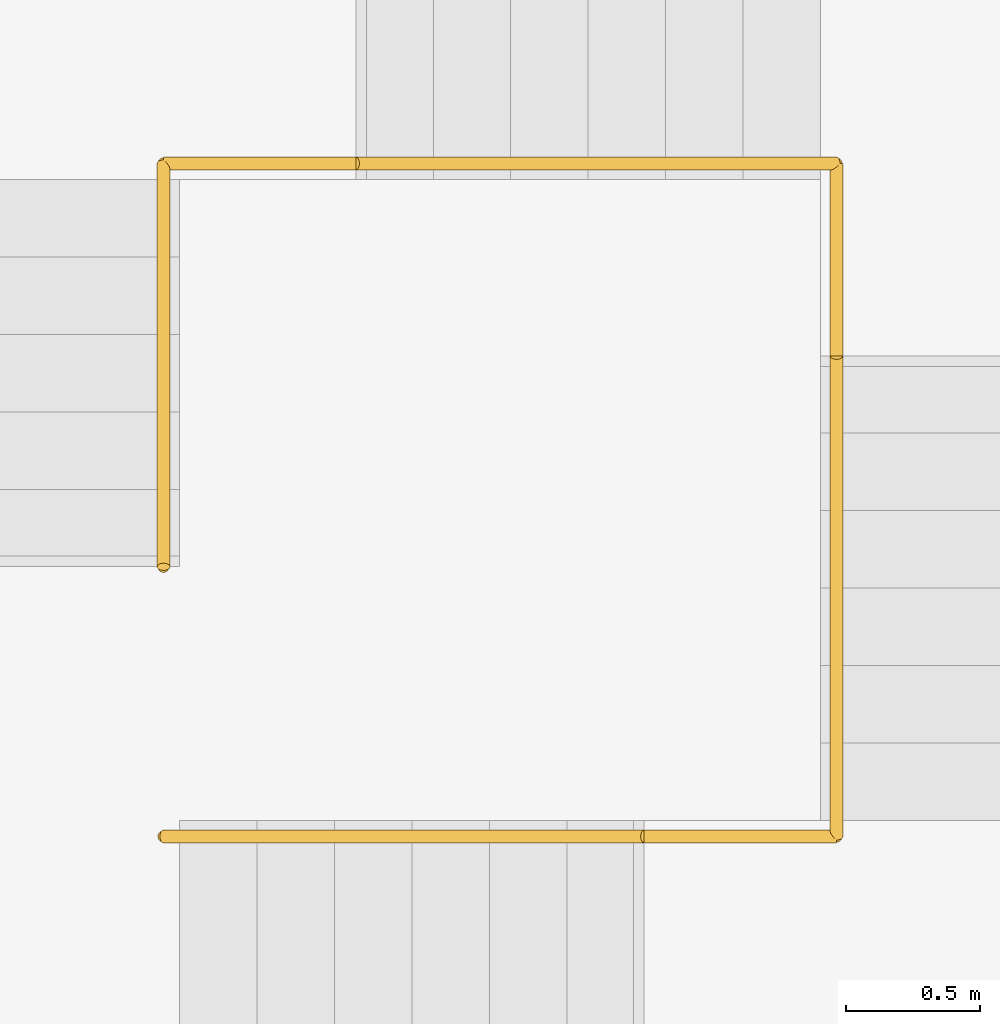
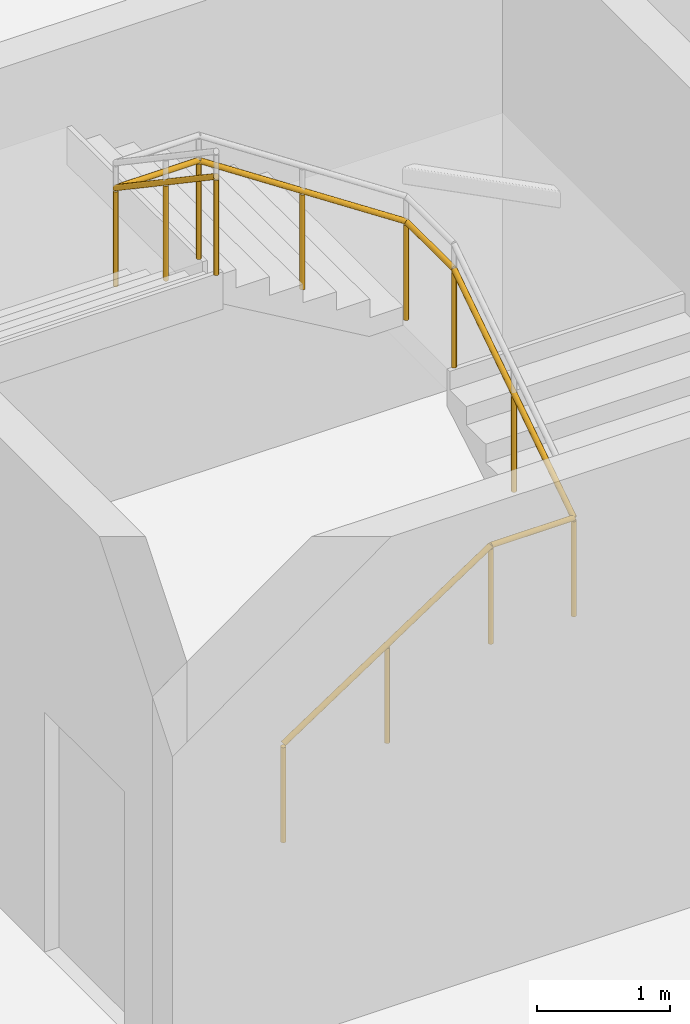
# One storey, part 30 of 30: 1 railing.
"""IFC4 building model written with IfcOpenShell, lengths in metres."""

from ifc_helpers import new_model, si_unit, direction, frame, origin, origin_2d, place, context, subcontext, project, spatial, circle, extrude, material, type_object, element, save


model = new_model("IFC4")

# Units and contexts
model_context = context("Model", 3, precision=1e-05, world=origin(), true_north=direction((0.0, 1.0)))
body_context = subcontext(model_context, "Body", "Model", "MODEL_VIEW")
ifc_project = project(units=[si_unit("LENGTHUNIT", "METRE"), si_unit("AREAUNIT", "SQUARE_METRE"), si_unit("VOLUMEUNIT", "CUBIC_METRE"), si_unit("PLANEANGLEUNIT", "RADIAN"), si_unit("MASSUNIT", "GRAM", prefix="KILO")], contexts=[model_context])

# Site, building, storey
site_placement = place(None, origin())
site = spatial("IfcSite", under=ifc_project, at=site_placement, CompositionType="ELEMENT")
building_placement = place(site_placement, origin())
building = spatial("IfcBuilding", under=site, at=building_placement, Name="Sillaruma Civic Art Gallery", CompositionType="ELEMENT")
storey_placement = place(building_placement, frame((0.0, 0.0, -9.179931640625)))
storey = spatial("IfcBuildingStorey", under=building, at=storey_placement, Name="B02", CompositionType="ELEMENT", Elevation=-9.179931640625)

# Railing
ifc_material = material(Name="Stainless Steel AISI 316", Category="steel")
railing_type = type_object("IfcRailingType", Name="RAL-HND-920", PredefinedType="HANDRAIL", material=ifc_material)
railing_placement = place(storey_placement, frame((144.139892578125, 13.3798828125, 0.0)))
element("IfcRailing", 1, at=railing_placement, inside=storey, type_object=railing_type, Name="Stair Continuous Handrail (ST-05-B02)", PredefinedType="HANDRAIL", context=body_context, shape_type="SweptSolid", body=[
    extrude(circle(Radius=0.02392578125, at=origin_2d()), frame((0.0, 0.0, 0.89599609375), z_axis=(0.834202413191, 0.0, 0.551458369984), x_axis=(0.0, 1.0, 0.0)), (0.0, 0.0, 1.0), 2.15771484375),
    extrude(circle(Radius=0.02392578125, at=origin_2d()), frame((1.800048828125, 0.0, 2.0859375), z_axis=(1.0, 0.0, 0.0), x_axis=(0.0, 1.0, 0.0)), (0.0, 0.0, 1.0), 0.719970703125),
    extrude(circle(Radius=0.02392578125, at=origin_2d()), frame((2.52001953125, 0.0, 2.0859375), z_axis=(0.0, 0.834202413191, 0.551458369984), x_axis=(-1.0, 0.0, 0.0)), (0.0, 0.0, 1.0), 2.15771484375),
    extrude(circle(Radius=0.02392578125, at=origin_2d()), frame((2.52001953125, 1.800048828125, 3.27587890625), z_axis=(0.0, 1.0, 0.0), x_axis=(-1.0, 0.0, 0.0)), (0.0, 0.0, 1.0), 0.719970703125),
    extrude(circle(Radius=0.02392578125, at=origin_2d()), frame((2.52001953125, 2.52001953125, 3.27587890625), z_axis=(-0.834168000855, 0.0, 0.551510422703), x_axis=(0.0, -1.0, 0.0)), (0.0, 0.0, 1.0), 2.15771484375),
    extrude(circle(Radius=0.02392578125, at=origin_2d()), frame((0.72021484375, 2.52001953125, 4.4658203125), z_axis=(-1.0, 0.0, 0.0), x_axis=(0.0, -1.0, 0.0)), (0.0, 0.0, 1.0), 0.72021484375),
    extrude(circle(Radius=0.02392578125, at=origin_2d()), frame((0.0, 2.52001953125, 4.4658203125), z_axis=(0.0, -0.828654473869, 0.559760451387), x_axis=(1.0, 0.0, 0.0)), (0.0, 0.0, 1.0), 1.822265625),
    extrude(circle(Radius=0.02099609375, at=origin_2d()), origin(), (0.0, 0.0, 1.0), 0.871826171875),
    extrude(circle(Radius=0.02099609375, at=origin_2d()), frame((0.89990234375, 0.0, 0.594970703125)), (0.0, 0.0, 1.0), 0.871826171875),
    extrude(circle(Radius=0.02099609375, at=origin_2d()), frame((1.800048828125, 0.0, 1.18994140625)), (0.0, 0.0, 1.0), 0.871826171875),
    extrude(circle(Radius=0.02099609375, at=origin_2d()), frame((2.52001953125, 0.0, 1.18994140625)), (0.0, 0.0, 1.0), 0.871826171875),
    extrude(circle(Radius=0.02099609375, at=origin_2d()), frame((2.52001953125, 0.89990234375, 1.784912109375)), (0.0, 0.0, 1.0), 0.871826171875),
    extrude(circle(Radius=0.02099609375, at=origin_2d()), frame((2.52001953125, 1.800048828125, 2.3798828125)), (0.0, 0.0, 1.0), 0.871826171875),
    extrude(circle(Radius=0.02099609375, at=origin_2d()), frame((2.52001953125, 2.52001953125, 2.3798828125)), (0.0, 0.0, 1.0), 0.871826171875),
    extrude(circle(Radius=0.02099609375, at=origin_2d()), frame((1.6201171875, 2.52001953125, 2.974853515625)), (0.0, 0.0, 1.0), 0.871826171875),
    extrude(circle(Radius=0.02099609375, at=origin_2d()), frame((0.72021484375, 2.52001953125, 3.56982421875)), (0.0, 0.0, 1.0), 0.871826171875),
    extrude(circle(Radius=0.02099609375, at=origin_2d()), frame((0.0, 2.52001953125, 3.56982421875)), (0.0, 0.0, 1.0), 0.871826171875),
    extrude(circle(Radius=0.02099609375, at=origin_2d()), frame((0.0, 1.76513671875, 4.079833984375)), (0.0, 0.0, 1.0), 0.871826171875),
    extrude(circle(Radius=0.02099609375, at=origin_2d()), frame((0.0, 1.010009765625, 4.58984375)), (0.0, 0.0, 1.0), 0.871826171875),
])

save(model, "model.ifc")
